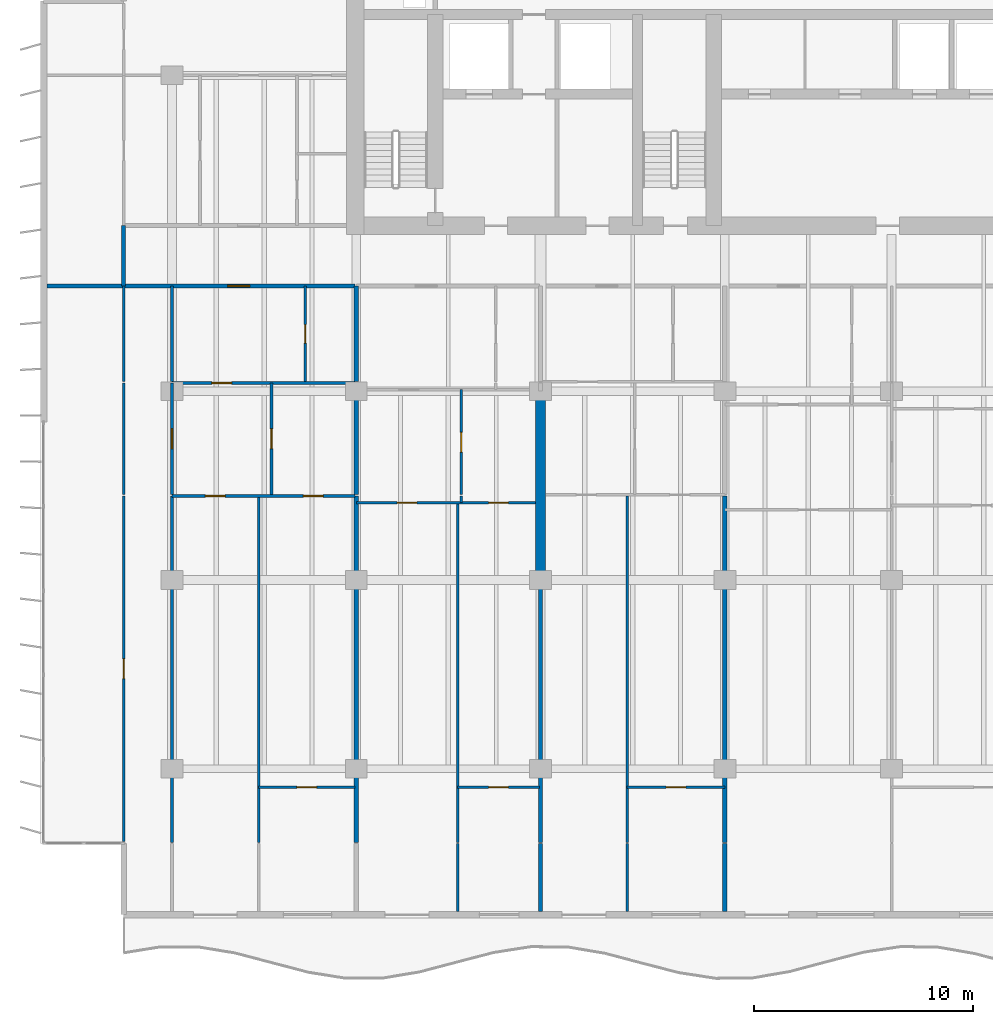
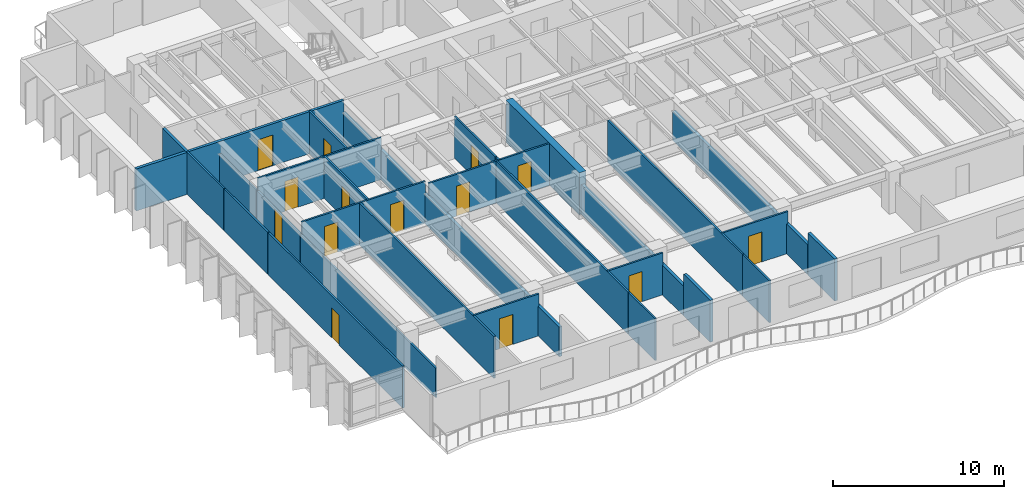
# One storey, part 6 of 16: 32 walls, 14 doors, 14 openings.
"""IFC4 building model written with IfcOpenShell, lengths in metres."""

from ifc_helpers import new_model, si_unit, direction, frame, frame_2d, origin, place, context, subcontext, project, spatial, rectangle, extrude, material, layer, layer_set, type_object, element, fill, save


model = new_model("IFC4")

# Units and contexts
model_context = context("Model", 3, precision=1e-05, world=origin(), true_north=direction((0.0, 1.0)))
body_context = subcontext(model_context, "Body", "Model", "MODEL_VIEW")
ifc_project = project(units=[si_unit("LENGTHUNIT", "METRE"), si_unit("AREAUNIT", "SQUARE_METRE"), si_unit("VOLUMEUNIT", "CUBIC_METRE"), si_unit("PLANEANGLEUNIT", "RADIAN"), si_unit("MASSUNIT", "GRAM", prefix="KILO")], contexts=[model_context])

# Site, building, storey
site_placement = place(None, origin())
site = spatial("IfcSite", under=ifc_project, at=site_placement, CompositionType="ELEMENT")
building_placement = place(site_placement, origin())
building = spatial("IfcBuilding", under=site, at=building_placement, Name="Caelmar Bay Residences", CompositionType="ELEMENT")
storey_placement = place(building_placement, frame((0.0, 0.0, 148.800048828125)))
storey = spatial("IfcBuildingStorey", under=building, at=storey_placement, Name="L41", CompositionType="ELEMENT", Elevation=148.800048828125)

# Walls
ifc_material_1 = material(Name="Concrete f'c 55 MPa (8,000 psi)", Category="concrete")
ifc_layer_1 = layer(ifc_material_1, 0.449951171875)
ifc_layer_set_1 = layer_set([ifc_layer_1], Name="Concrete f'c 55 MPa (8,000 psi)")
wall_type_1 = type_object("IfcWallType", Name="SW-XSLB-450", PredefinedType="SHEAR", material=ifc_layer_set_1)
wall_1_placement = place(storey_placement, frame((26.699951171875, 20.800048828125, 0.0), z_axis=(0.0, 0.0, 1.0), x_axis=(0.0, 1.0, 0.0)))
element("IfcWall", 1, at=wall_1_placement, inside=storey, type_object=wall_type_1, Name="L41 Transverse Cross-Slab Shear Wall W5", PredefinedType="SHEAR", context=body_context, shape_type="SweptSolid", body=[
    extrude(rectangle(XDim=8.599853515625, YDim=0.449951171875, at=frame_2d((4.2998046875, 0.0))), origin(), (0.0, 0.0, 1.0), 3.0),
])
ifc_material_2 = material(Name="Double-stud acoustic fire-rated gypsum partition 180 mm")
ifc_layer_2 = layer(ifc_material_2, 0.179931640625)
ifc_layer_set_2 = layer_set([ifc_layer_2], Name="Double-stud acoustic fire-rated gypsum partition 180 mm")
wall_type_2 = type_object("IfcWallType", Name="W-COR-200", PredefinedType="PARTITIONING", material=ifc_layer_set_2)
wall_2_placement = place(storey_placement, frame((7.699951171875, 34.205078125, 0.0), z_axis=(0.0, 0.0, 1.0), x_axis=(0.0, 1.0, 0.0)))
element("IfcWall", 2, at=wall_2_placement, inside=storey, type_object=wall_type_2, Name="L41 Partition Wall V004", PredefinedType="PARTITIONING", context=body_context, shape_type="SweptSolid", body=[
    extrude(rectangle(XDim=2.744873046875, YDim=0.179931640625, at=frame_2d((1.37255859375, 0.0))), origin(), (0.0, 0.0, 1.0), 3.0),
])

# Wall, opening, door
wall_3_placement = place(storey_placement, frame((7.705078125, 34.199951171875, 0.0), z_axis=(0.0, 0.0, 1.0), x_axis=(1.0, 0.0, 0.0)))
wall_3 = element("IfcWall", 3, at=wall_3_placement, inside=storey, type_object=wall_type_2, Name="L41 Partition Wall H110", PredefinedType="PARTITIONING", context=body_context, shape_type="SweptSolid", body=[
    extrude(rectangle(XDim=10.544921875, YDim=0.179931640625, at=frame_2d((5.2724609375, 0.0))), origin(), (0.0, 0.0, 1.0), 3.0),
])
opening_1_placement = place(wall_3_placement, frame((4.72998046875, 0.0, 0.0)))
opening_1 = element("IfcOpeningElement", 4, at=opening_1_placement, cuts=wall_3, Name="Opening D-L41-124", PredefinedType="OPENING", context=body_context, shape_type="SweptSolid", body=[
    extrude(rectangle(XDim=1.0, YDim=2.199951171875, at=frame_2d((0.5, 1.10009765625))), frame((0.0, 0.099853515625, 0.0), z_axis=(0.0, -1.0, 0.0), x_axis=(1.0, 0.0, 0.0)), (0.0, 0.0, 1.0), 0.199951171875),
])
ifc_material_3 = material(Name="Fire-rated steel and walnut architectural door assembly", Category="steel")
ifc_layer_3 = layer(ifc_material_3, 0.050048828125)
ifc_layer_set_3 = layer_set([ifc_layer_3], Name="Fire-rated steel and walnut architectural door assembly")
door_type_1 = type_object("IfcDoorType", Name="D-UNIT-1000", OperationType="NOTDEFINED", PredefinedType="DOOR", material=ifc_layer_set_3)
door_1_placement = place(opening_1_placement, origin())
door_1 = element("IfcDoor", 5, at=door_1_placement, inside=storey, type_object=door_type_1, Name="L41 Residence 01 Apartment Hall Door", OperationType="SINGLE_SWING_LEFT", OverallHeight=2.199951171875, OverallWidth=1.0, PredefinedType="DOOR", context=body_context, shape_type="SweptSolid", body=[
    extrude(rectangle(XDim=1.0, YDim=2.199951171875, at=frame_2d((0.5, 1.10009765625))), frame((0.0, 0.02490234375, 0.0), z_axis=(0.0, -1.0, 0.0), x_axis=(1.0, 0.0, 0.0)), (0.0, 0.0, 1.0), 0.050048828125),
])
fill(opening_1, door_1)

ifc_material_4 = material(Name="Acoustic metal-stud gypsum partition 120 mm")
ifc_layer_4 = layer(ifc_material_4, 0.1201171875)
ifc_layer_set_4 = layer_set([ifc_layer_4], Name="Acoustic metal-stud gypsum partition 120 mm")
wall_type_3 = type_object("IfcWallType", Name="W-PRT-120", PredefinedType="PARTITIONING", material=ifc_layer_set_4)
wall_4_placement = place(storey_placement, frame((7.699951171875, 8.885009765625, 0.0), z_axis=(0.0, 0.0, 1.0), x_axis=(0.0, 1.0, 0.0)))
wall_4 = element("IfcWall", 6, at=wall_4_placement, inside=storey, type_object=wall_type_3, Name="L41 Partition Wall V001", PredefinedType="PARTITIONING", context=body_context, shape_type="SweptSolid", body=[
    extrude(rectangle(XDim=15.744873046875, YDim=0.1201171875, at=frame_2d((7.87255859375, 0.0))), origin(), (0.0, 0.0, 1.0), 3.0),
])
opening_2_placement = place(wall_4_placement, frame((7.422607421875, 0.0, 0.0)))
opening_2 = element("IfcOpeningElement", 7, at=opening_2_placement, cuts=wall_4, Name="Opening D-L41-166", PredefinedType="OPENING", context=body_context, shape_type="SweptSolid", body=[
    extrude(rectangle(XDim=0.89990234375, YDim=2.14990234375, at=frame_2d((0.449951171875, 1.074951171875))), frame((0.0, 0.070068359375, 0.0), z_axis=(0.0, -1.0, 0.0), x_axis=(1.0, 0.0, 0.0)), (0.0, 0.0, 1.0), 0.14013671875),
])
ifc_material_5 = material(Name="Solid walnut timber interior door leaf and frame", Category="wood")
ifc_layer_5 = layer(ifc_material_5, 0.050048828125)
ifc_layer_set_5 = layer_set([ifc_layer_5], Name="Solid walnut timber interior door leaf and frame")
door_type_2 = type_object("IfcDoorType", Name="D-ROOM-900", OperationType="NOTDEFINED", PredefinedType="DOOR", material=ifc_layer_set_5)
door_2_placement = place(opening_2_placement, origin())
door_2 = element("IfcDoor", 8, at=door_2_placement, inside=storey, type_object=door_type_2, Name="L41 Residence 01 Penthouse West Salon Door", OperationType="SINGLE_SWING_LEFT", OverallHeight=2.14990234375, OverallWidth=0.89990234375, PredefinedType="DOOR", context=body_context, shape_type="SweptSolid", body=[
    extrude(rectangle(XDim=0.89990234375, YDim=2.14990234375, at=frame_2d((0.449951171875, 1.074951171875))), frame((0.0, 0.02490234375, 0.0), z_axis=(0.0, -1.0, 0.0), x_axis=(1.0, 0.0, 0.0)), (0.0, 0.0, 1.0), 0.050048828125),
])
fill(opening_2, door_2)

# Walls
wall_5_placement = place(storey_placement, frame((7.699951171875, 24.68994140625, 0.0), z_axis=(0.0, 0.0, 1.0), x_axis=(0.0, 1.0, 0.0)))
element("IfcWall", 9, at=wall_5_placement, inside=storey, type_object=wall_type_3, Name="L41 Partition Wall V002", PredefinedType="PARTITIONING", context=body_context, shape_type="SweptSolid", body=[
    extrude(rectangle(XDim=5.090087890625, YDim=0.1201171875, at=frame_2d((2.544921875, 0.0))), origin(), (0.0, 0.0, 1.0), 3.0),
])
wall_6_placement = place(storey_placement, frame((7.699951171875, 29.840087890625, 0.0), z_axis=(0.0, 0.0, 1.0), x_axis=(0.0, 1.0, 0.0)))
element("IfcWall", 10, at=wall_6_placement, inside=storey, type_object=wall_type_3, Name="L41 Partition Wall V003", PredefinedType="PARTITIONING", context=body_context, shape_type="SweptSolid", body=[
    extrude(rectangle(XDim=4.35986328125, YDim=0.1201171875, at=frame_2d((2.179931640625, 0.0))), origin(), (0.0, 0.0, 1.0), 3.0),
])
wall_7_placement = place(storey_placement, frame((9.89990234375, 8.840087890625, 0.0), z_axis=(0.0, 0.0, 1.0), x_axis=(0.0, 1.0, 0.0)))
element("IfcWall", 11, at=wall_7_placement, inside=storey, type_object=wall_type_3, Name="L41 Partition Wall V008", PredefinedType="PARTITIONING", context=body_context, shape_type="SweptSolid", body=[
    extrude(rectangle(XDim=15.789794921875, YDim=0.1201171875, at=frame_2d((7.89501953125, 0.0))), origin(), (0.0, 0.0, 1.0), 2.1240234375),
])

# Wall, opening, door
wall_8_placement = place(storey_placement, frame((9.89990234375, 24.68994140625, 0.0), z_axis=(0.0, 0.0, 1.0), x_axis=(0.0, 1.0, 0.0)))
wall_8 = element("IfcWall", 12, at=wall_8_placement, inside=storey, type_object=wall_type_3, Name="L41 Partition Wall V009", PredefinedType="PARTITIONING", context=body_context, shape_type="SweptSolid", body=[
    extrude(rectangle(XDim=5.090087890625, YDim=0.1201171875, at=frame_2d((2.544921875, 0.0))), origin(), (0.0, 0.0, 1.0), 2.1240234375),
])
opening_3_placement = place(wall_8_placement, frame((2.094970703125, 0.0, 0.0)))
opening_3 = element("IfcOpeningElement", 13, at=opening_3_placement, cuts=wall_8, Name="Opening D-L41-131", PredefinedType="OPENING", context=body_context, shape_type="SweptSolid", body=[
    extrude(rectangle(XDim=0.89990234375, YDim=2.073974609375, at=frame_2d((0.449951171875, 1.037109375))), frame((0.0, 0.070068359375, 0.0), z_axis=(0.0, -1.0, 0.0), x_axis=(1.0, 0.0, 0.0)), (0.0, 0.0, 1.0), 0.14013671875),
])
door_3_placement = place(opening_3_placement, origin())
door_3 = element("IfcDoor", 14, at=door_3_placement, inside=storey, type_object=door_type_2, Name="L41 Residence 01 West Apartment Hall Door", OperationType="SINGLE_SWING_RIGHT", OverallHeight=2.073974609375, OverallWidth=0.89990234375, PredefinedType="DOOR", context=body_context, shape_type="SweptSolid", body=[
    extrude(rectangle(XDim=0.89990234375, YDim=2.073974609375, at=frame_2d((0.449951171875, 1.037109375))), frame((0.0, 0.02490234375, 0.0), z_axis=(0.0, -1.0, 0.0), x_axis=(1.0, 0.0, 0.0)), (0.0, 0.0, 1.0), 0.050048828125),
])
fill(opening_3, door_3)

# Walls
wall_9_placement = place(storey_placement, frame((9.89990234375, 29.840087890625, 0.0), z_axis=(0.0, 0.0, 1.0), x_axis=(0.0, 1.0, 0.0)))
element("IfcWall", 15, at=wall_9_placement, inside=storey, type_object=wall_type_3, Name="L41 Partition Wall V010", PredefinedType="PARTITIONING", context=body_context, shape_type="SweptSolid", body=[
    extrude(rectangle(XDim=4.35986328125, YDim=0.1201171875, at=frame_2d((2.179931640625, 0.0))), origin(), (0.0, 0.0, 1.0), 2.1240234375),
])
wall_10_placement = place(storey_placement, frame((13.847900390625, 8.840087890625, 0.0), z_axis=(0.0, 0.0, 1.0), x_axis=(0.0, 1.0, 0.0)))
element("IfcWall", 16, at=wall_10_placement, inside=storey, type_object=wall_type_3, Name="L41 Partition Wall V013", PredefinedType="PARTITIONING", context=body_context, shape_type="SweptSolid", body=[
    extrude(rectangle(XDim=15.789794921875, YDim=0.1201171875, at=frame_2d((7.89501953125, 0.0))), origin(), (0.0, 0.0, 1.0), 3.0),
])

# Wall, opening, door
wall_11_placement = place(storey_placement, frame((14.43603515625, 24.68994140625, 0.0), z_axis=(0.0, 0.0, 1.0), x_axis=(0.0, 1.0, 0.0)))
wall_11 = element("IfcWall", 17, at=wall_11_placement, inside=storey, type_object=wall_type_3, Name="L41 Partition Wall V014", PredefinedType="PARTITIONING", context=body_context, shape_type="SweptSolid", body=[
    extrude(rectangle(XDim=5.090087890625, YDim=0.1201171875, at=frame_2d((2.544921875, 0.0))), origin(), (0.0, 0.0, 1.0), 3.0),
])
opening_4_placement = place(wall_11_placement, frame((2.094970703125, 0.0, 0.0)))
opening_4 = element("IfcOpeningElement", 18, at=opening_4_placement, cuts=wall_11, Name="Opening D-L41-127", PredefinedType="OPENING", context=body_context, shape_type="SweptSolid", body=[
    extrude(rectangle(XDim=0.89990234375, YDim=2.14990234375, at=frame_2d((0.449951171875, 1.074951171875))), frame((0.0, 0.070068359375, 0.0), z_axis=(0.0, -1.0, 0.0), x_axis=(1.0, 0.0, 0.0)), (0.0, 0.0, 1.0), 0.14013671875),
])
door_4_placement = place(opening_4_placement, origin())
door_4 = element("IfcDoor", 19, at=door_4_placement, inside=storey, type_object=door_type_2, Name="L41 Residence 01 Curator Office Door", OperationType="SINGLE_SWING_RIGHT", OverallHeight=2.14990234375, OverallWidth=0.89990234375, PredefinedType="DOOR", context=body_context, shape_type="SweptSolid", body=[
    extrude(rectangle(XDim=0.89990234375, YDim=2.14990234375, at=frame_2d((0.449951171875, 1.074951171875))), frame((0.0, 0.02490234375, 0.0), z_axis=(0.0, -1.0, 0.0), x_axis=(1.0, 0.0, 0.0)), (0.0, 0.0, 1.0), 0.050048828125),
])
fill(opening_4, door_4)

wall_12_placement = place(storey_placement, frame((15.969970703125, 29.840087890625, 0.0), z_axis=(0.0, 0.0, 1.0), x_axis=(0.0, 1.0, 0.0)))
wall_12 = element("IfcWall", 20, at=wall_12_placement, inside=storey, type_object=wall_type_3, Name="L41 Partition Wall V016", PredefinedType="PARTITIONING", context=body_context, shape_type="SweptSolid", body=[
    extrude(rectangle(XDim=4.35986328125, YDim=0.1201171875, at=frame_2d((2.179931640625, 0.0))), origin(), (0.0, 0.0, 1.0), 3.0),
])
opening_5_placement = place(wall_12_placement, frame((1.7548828125, 0.0, 0.0)))
opening_5 = element("IfcOpeningElement", 21, at=opening_5_placement, cuts=wall_12, Name="Opening D-L41-125", PredefinedType="OPENING", context=body_context, shape_type="SweptSolid", body=[
    extrude(rectangle(XDim=0.85009765625, YDim=2.10009765625, at=frame_2d((0.425048828125, 1.050048828125))), frame((0.0, 0.070068359375, 0.0), z_axis=(0.0, -1.0, 0.0), x_axis=(1.0, 0.0, 0.0)), (0.0, 0.0, 1.0), 0.14013671875),
])
ifc_layer_6 = layer(ifc_material_5, 0.050048828125)
ifc_layer_set_6 = layer_set([ifc_layer_6], Name="Solid walnut timber interior door leaf and frame")
door_type_3 = type_object("IfcDoorType", Name="D-BATH-850", OperationType="NOTDEFINED", PredefinedType="DOOR", material=ifc_layer_set_6)
door_5_placement = place(opening_5_placement, origin())
door_5 = element("IfcDoor", 22, at=door_5_placement, inside=storey, type_object=door_type_3, Name="L41 Residence 01 Bathroom Door", OperationType="SINGLE_SWING_RIGHT", OverallHeight=2.10009765625, OverallWidth=0.85009765625, PredefinedType="DOOR", context=body_context, shape_type="SweptSolid", body=[
    extrude(rectangle(XDim=0.85009765625, YDim=2.10009765625, at=frame_2d((0.425048828125, 1.050048828125))), frame((0.0, 0.02490234375, 0.0), z_axis=(0.0, -1.0, 0.0), x_axis=(1.0, 0.0, 0.0)), (0.0, 0.0, 1.0), 0.050048828125),
])
fill(opening_5, door_5)

# Walls
wall_13_placement = place(storey_placement, frame((22.919921875, 5.695068359375, 0.0), z_axis=(0.0, 0.0, 1.0), x_axis=(0.0, 1.0, 0.0)))
element("IfcWall", 23, at=wall_13_placement, inside=storey, type_object=wall_type_3, Name="L41 Partition Wall V022", PredefinedType="PARTITIONING", context=body_context, shape_type="SweptSolid", body=[
    extrude(rectangle(XDim=3.10498046875, YDim=0.1201171875, at=frame_2d((1.552490234375, 0.0))), origin(), (0.0, 0.0, 1.0), 3.0),
])
wall_14_placement = place(storey_placement, frame((22.919921875, 8.840087890625, 0.0), z_axis=(0.0, 0.0, 1.0), x_axis=(0.0, 1.0, 0.0)))
element("IfcWall", 24, at=wall_14_placement, inside=storey, type_object=wall_type_3, Name="L41 Partition Wall V023", PredefinedType="PARTITIONING", context=body_context, shape_type="SweptSolid", body=[
    extrude(rectangle(XDim=15.489990234375, YDim=0.1201171875, at=frame_2d((7.7451171875, 0.0))), origin(), (0.0, 0.0, 1.0), 3.0),
])
wall_15_placement = place(storey_placement, frame((23.0859375, 24.3349609375, 0.0), z_axis=(0.0, 0.0, 1.0), x_axis=(0.0, 1.0, 0.0)))
element("IfcWall", 25, at=wall_15_placement, inside=storey, type_object=wall_type_3, Name="L41 Partition Wall V024", PredefinedType="PARTITIONING", context=body_context, shape_type="SweptSolid", body=[
    extrude(rectangle(XDim=0.294921875, YDim=0.1201171875, at=frame_2d((0.1474609375, 0.0))), origin(), (0.0, 0.0, 1.0), 3.0),
])

# Wall, opening, door
wall_16_placement = place(storey_placement, frame((23.0859375, 24.68994140625, 0.0), z_axis=(0.0, 0.0, 1.0), x_axis=(0.0, 1.0, 0.0)))
wall_16 = element("IfcWall", 26, at=wall_16_placement, inside=storey, type_object=wall_type_3, Name="L41 Partition Wall V025", PredefinedType="PARTITIONING", context=body_context, shape_type="SweptSolid", body=[
    extrude(rectangle(XDim=4.7900390625, YDim=0.1201171875, at=frame_2d((2.39501953125, 0.0))), origin(), (0.0, 0.0, 1.0), 3.0),
])
opening_6_placement = place(wall_16_placement, frame((1.945068359375, 0.0, 0.0)))
opening_6 = element("IfcOpeningElement", 27, at=opening_6_placement, cuts=wall_16, Name="Opening D-L41-135", PredefinedType="OPENING", context=body_context, shape_type="SweptSolid", body=[
    extrude(rectangle(XDim=0.89990234375, YDim=2.14990234375, at=frame_2d((0.449951171875, 1.074951171875))), frame((0.0, 0.070068359375, 0.0), z_axis=(0.0, -1.0, 0.0), x_axis=(1.0, 0.0, 0.0)), (0.0, 0.0, 1.0), 0.14013671875),
])
door_6_placement = place(opening_6_placement, origin())
door_6 = element("IfcDoor", 28, at=door_6_placement, inside=storey, type_object=door_type_2, Name="L41 Residence 02 Curator Office Door", OperationType="SINGLE_SWING_RIGHT", OverallHeight=2.14990234375, OverallWidth=0.89990234375, PredefinedType="DOOR", context=body_context, shape_type="SweptSolid", body=[
    extrude(rectangle(XDim=0.89990234375, YDim=2.14990234375, at=frame_2d((0.449951171875, 1.074951171875))), frame((0.0, 0.02490234375, 0.0), z_axis=(0.0, -1.0, 0.0), x_axis=(1.0, 0.0, 0.0)), (0.0, 0.0, 1.0), 0.050048828125),
])
fill(opening_6, door_6)

# Walls
wall_17_placement = place(storey_placement, frame((30.64794921875, 5.695068359375, 0.0), z_axis=(0.0, 0.0, 1.0), x_axis=(0.0, 1.0, 0.0)))
element("IfcWall", 29, at=wall_17_placement, inside=storey, type_object=wall_type_3, Name="L41 Partition Wall V036", PredefinedType="PARTITIONING", context=body_context, shape_type="SweptSolid", body=[
    extrude(rectangle(XDim=3.10498046875, YDim=0.1201171875, at=frame_2d((1.552490234375, 0.0))), origin(), (0.0, 0.0, 1.0), 3.0),
])
wall_18_placement = place(storey_placement, frame((30.64794921875, 8.840087890625, 0.0), z_axis=(0.0, 0.0, 1.0), x_axis=(0.0, 1.0, 0.0)))
element("IfcWall", 30, at=wall_18_placement, inside=storey, type_object=wall_type_3, Name="L41 Partition Wall V037", PredefinedType="PARTITIONING", context=body_context, shape_type="SweptSolid", body=[
    extrude(rectangle(XDim=15.789794921875, YDim=0.1201171875, at=frame_2d((7.89501953125, 0.0))), origin(), (0.0, 0.0, 1.0), 3.0),
])

# Wall, opening, door
wall_19_placement = place(storey_placement, frame((13.847900390625, 11.35009765625, 0.0), z_axis=(0.0, 0.0, 1.0), x_axis=(1.0, 0.0, 0.0)))
wall_19 = element("IfcWall", 31, at=wall_19_placement, inside=storey, type_object=wall_type_3, Name="L41 Partition Wall H090", PredefinedType="PARTITIONING", context=body_context, shape_type="SweptSolid", body=[
    extrude(rectangle(XDim=4.402099609375, YDim=0.1201171875, at=frame_2d((2.201171875, 0.0))), origin(), (0.0, 0.0, 1.0), 3.0),
])
opening_7_placement = place(wall_19_placement, frame((1.7509765625, 0.0, 0.0)))
opening_7 = element("IfcOpeningElement", 32, at=opening_7_placement, cuts=wall_19, Name="Opening D-L41-130", PredefinedType="OPENING", context=body_context, shape_type="SweptSolid", body=[
    extrude(rectangle(XDim=0.89990234375, YDim=2.14990234375, at=frame_2d((0.449951171875, 1.074951171875))), frame((0.0, 0.070068359375, 0.0), z_axis=(0.0, -1.0, 0.0), x_axis=(1.0, 0.0, 0.0)), (0.0, 0.0, 1.0), 0.14013671875),
])
door_7_placement = place(opening_7_placement, origin())
door_7 = element("IfcDoor", 33, at=door_7_placement, inside=storey, type_object=door_type_2, Name="L41 Residence 01 Primary Bedroom Door", OperationType="SINGLE_SWING_LEFT", OverallHeight=2.14990234375, OverallWidth=0.89990234375, PredefinedType="DOOR", context=body_context, shape_type="SweptSolid", body=[
    extrude(rectangle(XDim=0.89990234375, YDim=2.14990234375, at=frame_2d((0.449951171875, 1.074951171875))), frame((0.0, 0.02490234375, 0.0), z_axis=(0.0, -1.0, 0.0), x_axis=(1.0, 0.0, 0.0)), (0.0, 0.0, 1.0), 0.050048828125),
])
fill(opening_7, door_7)

wall_20_placement = place(storey_placement, frame((22.919921875, 11.35009765625, 0.0), z_axis=(0.0, 0.0, 1.0), x_axis=(1.0, 0.0, 0.0)))
wall_20 = element("IfcWall", 34, at=wall_20_placement, inside=storey, type_object=wall_type_3, Name="L41 Partition Wall H091", PredefinedType="PARTITIONING", context=body_context, shape_type="SweptSolid", body=[
    extrude(rectangle(XDim=3.72998046875, YDim=0.1201171875, at=frame_2d((1.864990234375, 0.0))), origin(), (0.0, 0.0, 1.0), 3.0),
])
opening_8_placement = place(wall_20_placement, frame((1.4150390625, 0.0, 0.0)))
opening_8 = element("IfcOpeningElement", 35, at=opening_8_placement, cuts=wall_20, Name="Opening D-L41-138", PredefinedType="OPENING", context=body_context, shape_type="SweptSolid", body=[
    extrude(rectangle(XDim=0.89990234375, YDim=2.14990234375, at=frame_2d((0.449951171875, 1.074951171875))), frame((0.0, 0.070068359375, 0.0), z_axis=(0.0, -1.0, 0.0), x_axis=(1.0, 0.0, 0.0)), (0.0, 0.0, 1.0), 0.14013671875),
])
door_8_placement = place(opening_8_placement, origin())
door_8 = element("IfcDoor", 36, at=door_8_placement, inside=storey, type_object=door_type_2, Name="L41 Residence 02 Primary Bedroom Door", OperationType="SINGLE_SWING_LEFT", OverallHeight=2.14990234375, OverallWidth=0.89990234375, PredefinedType="DOOR", context=body_context, shape_type="SweptSolid", body=[
    extrude(rectangle(XDim=0.89990234375, YDim=2.14990234375, at=frame_2d((0.449951171875, 1.074951171875))), frame((0.0, 0.02490234375, 0.0), z_axis=(0.0, -1.0, 0.0), x_axis=(1.0, 0.0, 0.0)), (0.0, 0.0, 1.0), 0.050048828125),
])
fill(opening_8, door_8)

wall_21_placement = place(storey_placement, frame((30.64794921875, 11.35009765625, 0.0), z_axis=(0.0, 0.0, 1.0), x_axis=(1.0, 0.0, 0.0)))
wall_21 = element("IfcWall", 37, at=wall_21_placement, inside=storey, type_object=wall_type_3, Name="L41 Partition Wall H092", PredefinedType="PARTITIONING", context=body_context, shape_type="SweptSolid", body=[
    extrude(rectangle(XDim=4.4521484375, YDim=0.1201171875, at=frame_2d((2.22607421875, 0.0))), origin(), (0.0, 0.0, 1.0), 3.0),
])
opening_9_placement = place(wall_21_placement, frame((1.77587890625, 0.0, 0.0)))
opening_9 = element("IfcOpeningElement", 38, at=opening_9_placement, cuts=wall_21, Name="Opening D-L41-145", PredefinedType="OPENING", context=body_context, shape_type="SweptSolid", body=[
    extrude(rectangle(XDim=0.89990234375, YDim=2.14990234375, at=frame_2d((0.449951171875, 1.074951171875))), frame((0.0, 0.070068359375, 0.0), z_axis=(0.0, -1.0, 0.0), x_axis=(1.0, 0.0, 0.0)), (0.0, 0.0, 1.0), 0.14013671875),
])
door_9_placement = place(opening_9_placement, origin())
door_9 = element("IfcDoor", 39, at=door_9_placement, inside=storey, type_object=door_type_2, Name="L41 Residence 03 Primary Bedroom Door", OperationType="SINGLE_SWING_RIGHT", OverallHeight=2.14990234375, OverallWidth=0.89990234375, PredefinedType="DOOR", context=body_context, shape_type="SweptSolid", body=[
    extrude(rectangle(XDim=0.89990234375, YDim=2.14990234375, at=frame_2d((0.449951171875, 1.074951171875))), frame((0.0, 0.02490234375, 0.0), z_axis=(0.0, -1.0, 0.0), x_axis=(1.0, 0.0, 0.0)), (0.0, 0.0, 1.0), 0.050048828125),
])
fill(opening_9, door_9)

# Wall, openings, doors
wall_22_placement = place(storey_placement, frame((18.300048828125, 24.330078125, 0.0), z_axis=(0.0, 0.0, 1.0), x_axis=(1.0, 0.0, 0.0)))
wall_22 = element("IfcWall", 40, at=wall_22_placement, inside=storey, type_object=wall_type_3, Name="L41 Partition Wall H099", PredefinedType="PARTITIONING", context=body_context, shape_type="SweptSolid", body=[
    extrude(rectangle(XDim=8.179931640625, YDim=0.1201171875, at=frame_2d((4.08984375, 0.0))), origin(), (0.0, 0.0, 1.0), 3.0),
])
opening_10_placement = place(wall_22_placement, frame((1.860107421875, 0.0, 0.0)))
opening_10 = element("IfcOpeningElement", 41, at=opening_10_placement, cuts=wall_22, Name="Opening D-L41-136", PredefinedType="OPENING", context=body_context, shape_type="SweptSolid", body=[
    extrude(rectangle(XDim=0.89990234375, YDim=2.14990234375, at=frame_2d((0.449951171875, 1.074951171875))), frame((0.0, 0.070068359375, 0.0), z_axis=(0.0, -1.0, 0.0), x_axis=(1.0, 0.0, 0.0)), (0.0, 0.0, 1.0), 0.14013671875),
])
opening_11_placement = place(wall_22_placement, frame((6.032958984375, 0.0, 0.0)))
opening_11 = element("IfcOpeningElement", 42, at=opening_11_placement, cuts=wall_22, Name="Opening D-L41-137", PredefinedType="OPENING", context=body_context, shape_type="SweptSolid", body=[
    extrude(rectangle(XDim=0.89990234375, YDim=2.14990234375, at=frame_2d((0.449951171875, 1.074951171875))), frame((0.0, 0.070068359375, 0.0), z_axis=(0.0, -1.0, 0.0), x_axis=(1.0, 0.0, 0.0)), (0.0, 0.0, 1.0), 0.14013671875),
])
door_10_placement = place(opening_10_placement, origin())
door_10 = element("IfcDoor", 43, at=door_10_placement, inside=storey, type_object=door_type_2, Name="L41 Residence 02 Penthouse Living Salon Door", OperationType="SINGLE_SWING_LEFT", OverallHeight=2.14990234375, OverallWidth=0.89990234375, PredefinedType="DOOR", context=body_context, shape_type="SweptSolid", body=[
    extrude(rectangle(XDim=0.89990234375, YDim=2.14990234375, at=frame_2d((0.449951171875, 1.074951171875))), frame((0.0, 0.02490234375, 0.0), z_axis=(0.0, -1.0, 0.0), x_axis=(1.0, 0.0, 0.0)), (0.0, 0.0, 1.0), 0.050048828125),
])
fill(opening_10, door_10)
door_11_placement = place(opening_11_placement, origin())
door_11 = element("IfcDoor", 44, at=door_11_placement, inside=storey, type_object=door_type_2, Name="L41 Residence 02 Penthouse Sitting Room Door", OperationType="SINGLE_SWING_RIGHT", OverallHeight=2.14990234375, OverallWidth=0.89990234375, PredefinedType="DOOR", context=body_context, shape_type="SweptSolid", body=[
    extrude(rectangle(XDim=0.89990234375, YDim=2.14990234375, at=frame_2d((0.449951171875, 1.074951171875))), frame((0.0, 0.02490234375, 0.0), z_axis=(0.0, -1.0, 0.0), x_axis=(1.0, 0.0, 0.0)), (0.0, 0.0, 1.0), 0.050048828125),
])
fill(opening_11, door_11)

wall_23_placement = place(storey_placement, frame((9.89990234375, 24.6298828125, 0.0), z_axis=(0.0, 0.0, 1.0), x_axis=(1.0, 0.0, 0.0)))
wall_23 = element("IfcWall", 45, at=wall_23_placement, inside=storey, type_object=wall_type_3, Name="L41 Partition Wall H100", PredefinedType="PARTITIONING", context=body_context, shape_type="SweptSolid", body=[
    extrude(rectangle(XDim=8.35009765625, YDim=0.1201171875, at=frame_2d((4.175048828125, 0.0))), origin(), (0.0, 0.0, 1.0), 3.0),
])
opening_12_placement = place(wall_23_placement, frame((1.52392578125, 0.0, 0.0)))
opening_12 = element("IfcOpeningElement", 46, at=opening_12_placement, cuts=wall_23, Name="Opening D-L41-128", PredefinedType="OPENING", context=body_context, shape_type="SweptSolid", body=[
    extrude(rectangle(XDim=0.89990234375, YDim=2.14990234375, at=frame_2d((0.449951171875, 1.074951171875))), frame((0.0, 0.070068359375, 0.0), z_axis=(0.0, -1.0, 0.0), x_axis=(1.0, 0.0, 0.0)), (0.0, 0.0, 1.0), 0.14013671875),
])
opening_13_placement = place(wall_23_placement, frame((5.992919921875, 0.0, 0.0)))
opening_13 = element("IfcOpeningElement", 47, at=opening_13_placement, cuts=wall_23, Name="Opening D-L41-129", PredefinedType="OPENING", context=body_context, shape_type="SweptSolid", body=[
    extrude(rectangle(XDim=0.89990234375, YDim=2.14990234375, at=frame_2d((0.449951171875, 1.074951171875))), frame((0.0, 0.070068359375, 0.0), z_axis=(0.0, -1.0, 0.0), x_axis=(1.0, 0.0, 0.0)), (0.0, 0.0, 1.0), 0.14013671875),
])
door_12_placement = place(opening_12_placement, origin())
door_12 = element("IfcDoor", 48, at=door_12_placement, inside=storey, type_object=door_type_2, Name="L41 Residence 01 Living Room Door", OperationType="SINGLE_SWING_LEFT", OverallHeight=2.14990234375, OverallWidth=0.89990234375, PredefinedType="DOOR", context=body_context, shape_type="SweptSolid", body=[
    extrude(rectangle(XDim=0.89990234375, YDim=2.14990234375, at=frame_2d((0.449951171875, 1.074951171875))), frame((0.0, 0.02490234375, 0.0), z_axis=(0.0, -1.0, 0.0), x_axis=(1.0, 0.0, 0.0)), (0.0, 0.0, 1.0), 0.050048828125),
])
fill(opening_12, door_12)
door_13_placement = place(opening_13_placement, origin())
door_13 = element("IfcDoor", 49, at=door_13_placement, inside=storey, type_object=door_type_2, Name="L41 Residence 01 Penthouse Sitting Room Door", OperationType="SINGLE_SWING_RIGHT", OverallHeight=2.14990234375, OverallWidth=0.89990234375, PredefinedType="DOOR", context=body_context, shape_type="SweptSolid", body=[
    extrude(rectangle(XDim=0.89990234375, YDim=2.14990234375, at=frame_2d((0.449951171875, 1.074951171875))), frame((0.0, 0.02490234375, 0.0), z_axis=(0.0, -1.0, 0.0), x_axis=(1.0, 0.0, 0.0)), (0.0, 0.0, 1.0), 0.050048828125),
])
fill(opening_13, door_13)

# Wall, opening, door
wall_24_placement = place(storey_placement, frame((9.89990234375, 29.780029296875, 0.0), z_axis=(0.0, 0.0, 1.0), x_axis=(1.0, 0.0, 0.0)))
wall_24 = element("IfcWall", 50, at=wall_24_placement, inside=storey, type_object=wall_type_3, Name="L41 Partition Wall H107", PredefinedType="PARTITIONING", context=body_context, shape_type="SweptSolid", body=[
    extrude(rectangle(XDim=8.35009765625, YDim=0.1201171875, at=frame_2d((4.175048828125, 0.0))), origin(), (0.0, 0.0, 1.0), 3.0),
])
opening_14_placement = place(wall_24_placement, frame((1.818115234375, 0.0, 0.0)))
opening_14 = element("IfcOpeningElement", 51, at=opening_14_placement, cuts=wall_24, Name="Opening D-L41-126", PredefinedType="OPENING", context=body_context, shape_type="SweptSolid", body=[
    extrude(rectangle(XDim=0.89990234375, YDim=2.14990234375, at=frame_2d((0.449951171875, 1.074951171875))), frame((0.0, 0.070068359375, 0.0), z_axis=(0.0, -1.0, 0.0), x_axis=(1.0, 0.0, 0.0)), (0.0, 0.0, 1.0), 0.14013671875),
])
door_14_placement = place(opening_14_placement, origin())
door_14 = element("IfcDoor", 52, at=door_14_placement, inside=storey, type_object=door_type_2, Name="L41 Residence 01 Kitchen Door", OperationType="SINGLE_SWING_LEFT", OverallHeight=2.14990234375, OverallWidth=0.89990234375, PredefinedType="DOOR", context=body_context, shape_type="SweptSolid", body=[
    extrude(rectangle(XDim=0.89990234375, YDim=2.14990234375, at=frame_2d((0.449951171875, 1.074951171875))), frame((0.0, 0.02490234375, 0.0), z_axis=(0.0, -1.0, 0.0), x_axis=(1.0, 0.0, 0.0)), (0.0, 0.0, 1.0), 0.050048828125),
])
fill(opening_14, door_14)

# Walls
ifc_material_6 = material(Name="Acoustic twin-stud fire-rated inter-tenancy partition 200 mm")
ifc_layer_7 = layer(ifc_material_6, 0.199951171875)
ifc_layer_set_7 = layer_set([ifc_layer_7], Name="Acoustic twin-stud fire-rated inter-tenancy partition 200 mm")
wall_type_4 = type_object("IfcWallType", Name="W-PTY-200", PredefinedType="PARTITIONING", material=ifc_layer_set_7)
wall_25_placement = place(storey_placement, frame((18.300048828125, 8.840087890625, 0.0), z_axis=(0.0, 0.0, 1.0), x_axis=(0.0, 1.0, 0.0)))
element("IfcWall", 53, at=wall_25_placement, inside=storey, type_object=wall_type_4, Name="L41 Partition Wall V018", PredefinedType="PARTITIONING", context=body_context, shape_type="SweptSolid", body=[
    extrude(rectangle(XDim=15.789794921875, YDim=0.199951171875, at=frame_2d((7.89501953125, 0.0))), origin(), (0.0, 0.0, 1.0), 2.1240234375),
])
wall_26_placement = place(storey_placement, frame((18.300048828125, 24.68994140625, 0.0), z_axis=(0.0, 0.0, 1.0), x_axis=(0.0, 1.0, 0.0)))
element("IfcWall", 54, at=wall_26_placement, inside=storey, type_object=wall_type_4, Name="L41 Partition Wall V019", PredefinedType="PARTITIONING", context=body_context, shape_type="SweptSolid", body=[
    extrude(rectangle(XDim=5.090087890625, YDim=0.199951171875, at=frame_2d((2.544921875, 0.0))), origin(), (0.0, 0.0, 1.0), 2.1240234375),
])
wall_27_placement = place(storey_placement, frame((18.300048828125, 29.840087890625, 0.0), z_axis=(0.0, 0.0, 1.0), x_axis=(0.0, 1.0, 0.0)))
element("IfcWall", 55, at=wall_27_placement, inside=storey, type_object=wall_type_4, Name="L41 Partition Wall V020", PredefinedType="PARTITIONING", context=body_context, shape_type="SweptSolid", body=[
    extrude(rectangle(XDim=4.35986328125, YDim=0.199951171875, at=frame_2d((2.179931640625, 0.0))), origin(), (0.0, 0.0, 1.0), 2.1240234375),
])
wall_28_placement = place(storey_placement, frame((26.699951171875, 5.695068359375, 0.0), z_axis=(0.0, 0.0, 1.0), x_axis=(0.0, 1.0, 0.0)))
element("IfcWall", 56, at=wall_28_placement, inside=storey, type_object=wall_type_4, Name="L41 Partition Wall V030", PredefinedType="PARTITIONING", context=body_context, shape_type="SweptSolid", body=[
    extrude(rectangle(XDim=3.10498046875, YDim=0.199951171875, at=frame_2d((1.552490234375, 0.0))), origin(), (0.0, 0.0, 1.0), 3.0),
])
wall_29_placement = place(storey_placement, frame((26.699951171875, 8.840087890625, 0.0), z_axis=(0.0, 0.0, 1.0), x_axis=(0.0, 1.0, 0.0)))
element("IfcWall", 57, at=wall_29_placement, inside=storey, type_object=wall_type_4, Name="L41 Partition Wall V031", PredefinedType="PARTITIONING", context=body_context, shape_type="SweptSolid", body=[
    extrude(rectangle(XDim=11.954833984375, YDim=0.199951171875, at=frame_2d((5.9775390625, 0.0))), origin(), (0.0, 0.0, 1.0), 2.1240234375),
])
wall_30_placement = place(storey_placement, frame((35.10009765625, 5.695068359375, 0.0), z_axis=(0.0, 0.0, 1.0), x_axis=(0.0, 1.0, 0.0)))
element("IfcWall", 58, at=wall_30_placement, inside=storey, type_object=wall_type_4, Name="L41 Partition Wall V041", PredefinedType="PARTITIONING", context=body_context, shape_type="SweptSolid", body=[
    extrude(rectangle(XDim=3.10498046875, YDim=0.199951171875, at=frame_2d((1.552490234375, 0.0))), origin(), (0.0, 0.0, 1.0), 3.0),
])
wall_31_placement = place(storey_placement, frame((35.10009765625, 8.840087890625, 0.0), z_axis=(0.0, 0.0, 1.0), x_axis=(0.0, 1.0, 0.0)))
element("IfcWall", 59, at=wall_31_placement, inside=storey, type_object=wall_type_4, Name="L41 Partition Wall V042", PredefinedType="PARTITIONING", context=body_context, shape_type="SweptSolid", body=[
    extrude(rectangle(XDim=15.789794921875, YDim=0.199951171875, at=frame_2d((7.89501953125, 0.0))), origin(), (0.0, 0.0, 1.0), 2.1240234375),
])
wall_32_placement = place(storey_placement, frame((4.195068359375, 34.199951171875, 0.0), z_axis=(0.0, 0.0, 1.0), x_axis=(1.0, 0.0, 0.0)))
element("IfcWall", 60, at=wall_32_placement, inside=storey, type_object=wall_type_4, Name="L41 Partition Wall H109", PredefinedType="PARTITIONING", context=body_context, shape_type="SweptSolid", body=[
    extrude(rectangle(XDim=3.5048828125, YDim=0.199951171875, at=frame_2d((1.75244140625, 0.0))), origin(), (0.0, 0.0, 1.0), 3.0),
])

save(model, "model.ifc")
